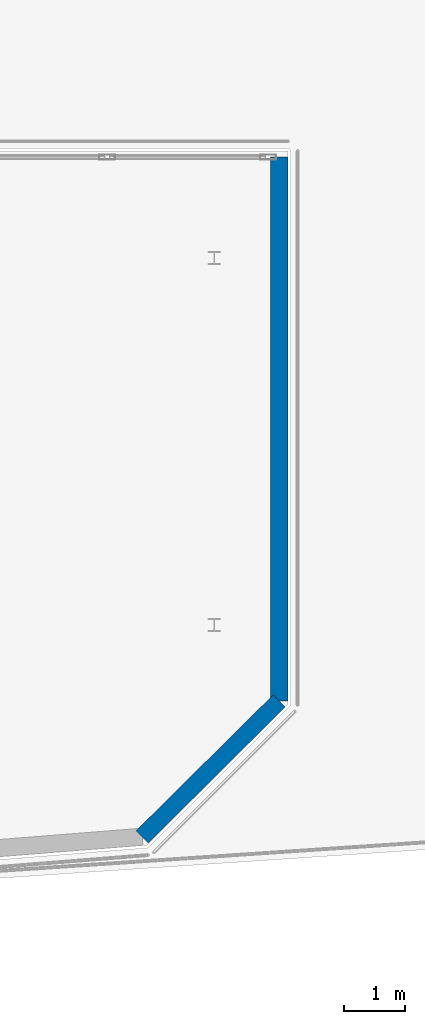
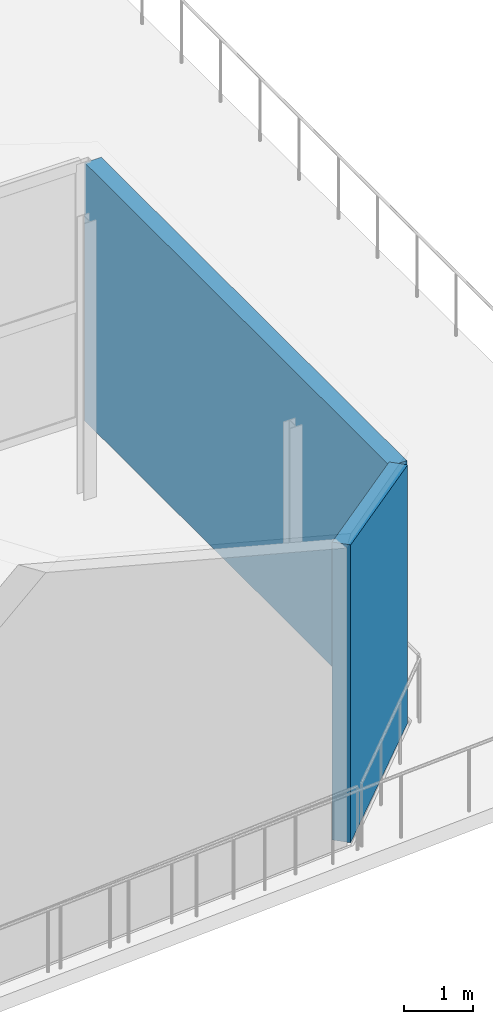
# One storey, part 8 of 9: 2 walls.
"""IFC4 building model written with IfcOpenShell, lengths in metres."""

from ifc_helpers import new_model, si_unit, direction, frame, frame_2d, origin, place, context, subcontext, project, spatial, polyline, rectangle, outline, extrude, material, layer, layer_set, type_object, element, save


model = new_model("IFC4")

# Units and contexts
model_context = context("Model", 3, precision=1e-05, world=origin(), true_north=direction((0.0, 1.0)))
body_context = subcontext(model_context, "Body", "Model", "MODEL_VIEW")
ifc_project = project(units=[si_unit("LENGTHUNIT", "METRE"), si_unit("AREAUNIT", "SQUARE_METRE"), si_unit("VOLUMEUNIT", "CUBIC_METRE"), si_unit("PLANEANGLEUNIT", "RADIAN"), si_unit("MASSUNIT", "GRAM", prefix="KILO")], contexts=[model_context])

# Site, building, storey
site_placement = place(None, origin())
site = spatial("IfcSite", under=ifc_project, at=site_placement, CompositionType="ELEMENT")
building_placement = place(site_placement, origin())
building = spatial("IfcBuilding", under=site, at=building_placement, Name="Varnakote Quay Hospital", CompositionType="ELEMENT")
storey_placement = place(building_placement, frame((0.0, 0.0, 309.199951171875)))
storey = spatial("IfcBuildingStorey", under=building, at=storey_placement, Name="RF", CompositionType="ELEMENT", Elevation=309.199951171875)

# Walls
ifc_material = material(Name="Precast concrete N50 (f'c 50 MPa)", Category="concrete")
ifc_layer = layer(ifc_material, 0.280029296875)
ifc_layer_set = layer_set([ifc_layer], Name="Precast concrete N50 (f'c 50 MPa)")
wall_type = type_object("IfcWallType", Name="WL-CROWN-RAKED-280", PredefinedType="STANDARD", material=ifc_layer_set)
wall_1_placement = place(storey_placement, frame((32.419921875, 2.5400390625, 0.0), z_axis=(0.0, 0.0, 1.0), x_axis=(0.71027363249, 0.703925682859, 0.0)))
element("IfcWall", 1, at=wall_1_placement, inside=storey, type_object=wall_type, Name="Slanted-Cut Crown South-East Chamfer Wall", PredefinedType="STANDARD", context=body_context, shape_type="SweptSolid", body=[
    extrude(outline(polyline([(0.0, 0.0), (3.15380859375, 0.0), (3.15380859375, 4.584228515625), (0.0, 5.292236328125), (0.0, 0.0)])), frame((0.0, 0.14013671875, 0.0), z_axis=(0.0, -1.0, 0.0), x_axis=(1.0, 0.0, 0.0)), (0.0, 0.0, 1.0), 0.280029296875),
])
wall_2_placement = place(storey_placement, frame((34.659912109375, 4.760009765625, 0.0), z_axis=(0.0, 0.0, 1.0), x_axis=(0.0, 1.0, 0.0)))
element("IfcWall", 2, at=wall_2_placement, inside=storey, type_object=wall_type, Name="Slanted-Cut Crown East Wall", PredefinedType="STANDARD", context=body_context, shape_type="SweptSolid", body=[
    extrude(rectangle(XDim=8.889892578125, YDim=0.280029296875, at=frame_2d((4.44482421875, 0.0))), origin(), (0.0, 0.0, 1.0), 4.584228515625),
])

save(model, "model.ifc")
